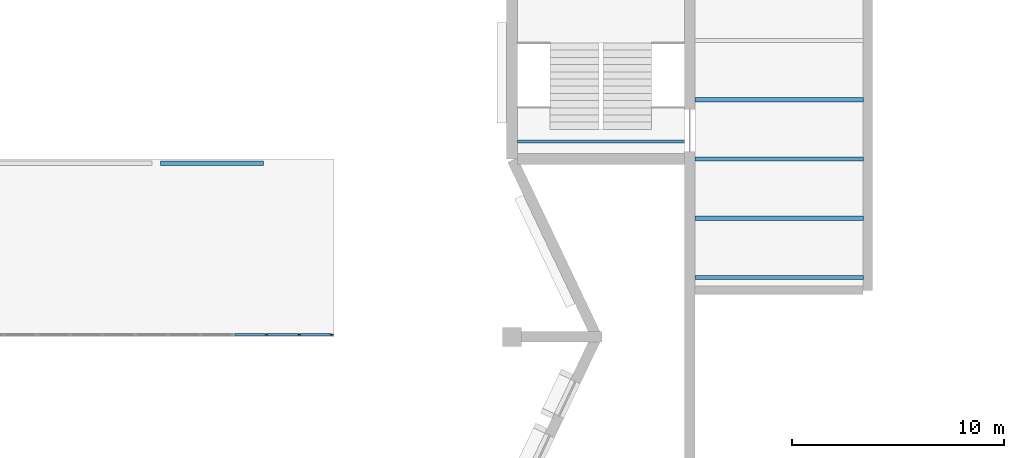
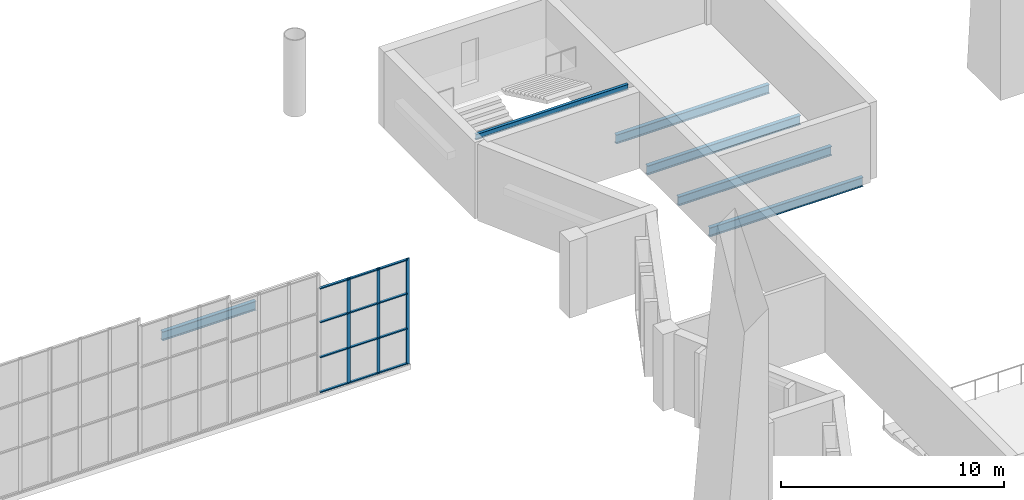
# One storey, part 37 of 100: 15 members, 6 beams, 1 element without a shape of its own.
"""IFC4 building model written with IfcOpenShell, lengths in metres."""

from ifc_helpers import new_model, si_unit, direction, frame, origin, origin_2d, place, context, subcontext, project, spatial, rectangle, i_section, extrude, material, material_profile, profile_set, type_object, element, aggregate, save


model = new_model("IFC4")

# Units and contexts
model_context = context("Model", 3, precision=1e-05, world=origin(), true_north=direction((0.0, 1.0)))
body_context = subcontext(model_context, "Body", "Model", "MODEL_VIEW")
ifc_project = project(units=[si_unit("LENGTHUNIT", "METRE"), si_unit("AREAUNIT", "SQUARE_METRE"), si_unit("VOLUMEUNIT", "CUBIC_METRE"), si_unit("PLANEANGLEUNIT", "RADIAN"), si_unit("MASSUNIT", "GRAM", prefix="KILO")], contexts=[model_context])

# Site, building, storey
site_placement = place(None, origin())
site = spatial("IfcSite", under=ifc_project, at=site_placement, CompositionType="ELEMENT")
building_placement = place(site_placement, origin())
building = spatial("IfcBuilding", under=site, at=building_placement, Name="Cresset Court Congress Hotel", CompositionType="ELEMENT")
storey_placement = place(building_placement, frame((0.0, 0.0, 10.199951171875)))
storey = spatial("IfcBuildingStorey", under=building, at=storey_placement, Name="L02", CompositionType="ELEMENT", Elevation=10.199951171875)

# Curtain wall, members
ifc_material_1 = material(Name="Aluminium frame with insulated glass", Category="aluminium")
curtain_wall_type = type_object("IfcCurtainWallType", Name="Curtain wall module 1500", PredefinedType="NOTDEFINED", material=ifc_material_1)
curtain_wall_placement = place(storey_placement, origin())
curtain_wall = element("IfcCurtainWall", 1, at=curtain_wall_placement, inside=storey, type_object=curtain_wall_type, Name="Curtain wall G9", PredefinedType="NOTDEFINED")
ifc_material_2 = material(Name="Aluminium", Category="aluminium")
ifc_material_profile_1 = material_profile(ifc_material_2, rectangle(XDim=0.1201171875, YDim=0.06005859375, at=origin_2d()), Name="AL 120x60")
ifc_profile_set_1 = profile_set([ifc_material_profile_1], Name="Aluminium")
member_type_1 = type_object("IfcMemberType", Name="CW transom RECT 120x60", PredefinedType="USERDEFINED", material=ifc_profile_set_1)
member_1_placement = place(storey_placement, frame((45.715576171875, 100.89990234375, 0.06005859375), z_axis=(1.0, 0.0, 0.0), x_axis=(0.0, 1.0, 0.0)))
member_1 = element("IfcMember", 2, at=member_1_placement, type_object=member_type_1, Name="D-X4 transom 1.1", ObjectType="TRANSOM", PredefinedType="USERDEFINED", context=body_context, shape_type="SweptSolid", body=[
    extrude(rectangle(XDim=0.1201171875, YDim=0.06005859375, at=origin_2d()), origin(), (0.0, 0.0, 1.0), 1.458251953125),
])
member_2_placement = place(storey_placement, frame((45.715576171875, 100.89990234375, 1.97216796875), z_axis=(1.0, 0.0, 0.0), x_axis=(0.0, 1.0, 0.0)))
member_2 = element("IfcMember", 3, at=member_2_placement, type_object=member_type_1, Name="D-X4 transom 1.2", ObjectType="TRANSOM", PredefinedType="USERDEFINED", context=body_context, shape_type="SweptSolid", body=[
    extrude(rectangle(XDim=0.1201171875, YDim=0.06005859375, at=origin_2d()), origin(), (0.0, 0.0, 1.0), 1.458251953125),
])
member_3_placement = place(storey_placement, frame((45.715576171875, 100.89990234375, 3.885986328125), z_axis=(1.0, 0.0, 0.0), x_axis=(0.0, 1.0, 0.0)))
member_3 = element("IfcMember", 4, at=member_3_placement, type_object=member_type_1, Name="D-X4 transom 1.3", ObjectType="TRANSOM", PredefinedType="USERDEFINED", context=body_context, shape_type="SweptSolid", body=[
    extrude(rectangle(XDim=0.1201171875, YDim=0.06005859375, at=origin_2d()), origin(), (0.0, 0.0, 1.0), 1.458251953125),
])
member_4_placement = place(storey_placement, frame((45.715576171875, 100.89990234375, 5.739990234375), z_axis=(1.0, 0.0, 0.0), x_axis=(0.0, 1.0, 0.0)))
member_4 = element("IfcMember", 5, at=member_4_placement, type_object=member_type_1, Name="D-X4 transom 1.4", ObjectType="TRANSOM", PredefinedType="USERDEFINED", context=body_context, shape_type="SweptSolid", body=[
    extrude(rectangle(XDim=0.1201171875, YDim=0.06005859375, at=origin_2d()), origin(), (0.0, 0.0, 1.0), 1.458251953125),
])
member_5_placement = place(storey_placement, frame((47.233642578125, 100.89990234375, 0.06005859375), z_axis=(1.0, 0.0, 0.0), x_axis=(0.0, 1.0, 0.0)))
member_5 = element("IfcMember", 6, at=member_5_placement, type_object=member_type_1, Name="D-X4 transom 2.1", ObjectType="TRANSOM", PredefinedType="USERDEFINED", context=body_context, shape_type="SweptSolid", body=[
    extrude(rectangle(XDim=0.1201171875, YDim=0.06005859375, at=origin_2d()), origin(), (0.0, 0.0, 1.0), 1.48828125),
])
member_6_placement = place(storey_placement, frame((47.233642578125, 100.89990234375, 1.97216796875), z_axis=(1.0, 0.0, 0.0), x_axis=(0.0, 1.0, 0.0)))
member_6 = element("IfcMember", 7, at=member_6_placement, type_object=member_type_1, Name="D-X4 transom 2.2", ObjectType="TRANSOM", PredefinedType="USERDEFINED", context=body_context, shape_type="SweptSolid", body=[
    extrude(rectangle(XDim=0.1201171875, YDim=0.06005859375, at=origin_2d()), origin(), (0.0, 0.0, 1.0), 1.48828125),
])
member_7_placement = place(storey_placement, frame((47.233642578125, 100.89990234375, 3.885986328125), z_axis=(1.0, 0.0, 0.0), x_axis=(0.0, 1.0, 0.0)))
member_7 = element("IfcMember", 8, at=member_7_placement, type_object=member_type_1, Name="D-X4 transom 2.3", ObjectType="TRANSOM", PredefinedType="USERDEFINED", context=body_context, shape_type="SweptSolid", body=[
    extrude(rectangle(XDim=0.1201171875, YDim=0.06005859375, at=origin_2d()), origin(), (0.0, 0.0, 1.0), 1.48828125),
])
member_8_placement = place(storey_placement, frame((47.233642578125, 100.89990234375, 5.739990234375), z_axis=(1.0, 0.0, 0.0), x_axis=(0.0, 1.0, 0.0)))
member_8 = element("IfcMember", 9, at=member_8_placement, type_object=member_type_1, Name="D-X4 transom 2.4", ObjectType="TRANSOM", PredefinedType="USERDEFINED", context=body_context, shape_type="SweptSolid", body=[
    extrude(rectangle(XDim=0.1201171875, YDim=0.06005859375, at=origin_2d()), origin(), (0.0, 0.0, 1.0), 1.48828125),
])
member_9_placement = place(storey_placement, frame((48.781982421875, 100.89990234375, 0.06005859375), z_axis=(1.0, 0.0, 0.0), x_axis=(0.0, 1.0, 0.0)))
member_9 = element("IfcMember", 10, at=member_9_placement, type_object=member_type_1, Name="D-X4 transom 3.1", ObjectType="TRANSOM", PredefinedType="USERDEFINED", context=body_context, shape_type="SweptSolid", body=[
    extrude(rectangle(XDim=0.1201171875, YDim=0.06005859375, at=origin_2d()), origin(), (0.0, 0.0, 1.0), 1.4580078125),
])
member_10_placement = place(storey_placement, frame((48.781982421875, 100.89990234375, 1.97216796875), z_axis=(1.0, 0.0, 0.0), x_axis=(0.0, 1.0, 0.0)))
member_10 = element("IfcMember", 11, at=member_10_placement, type_object=member_type_1, Name="D-X4 transom 3.2", ObjectType="TRANSOM", PredefinedType="USERDEFINED", context=body_context, shape_type="SweptSolid", body=[
    extrude(rectangle(XDim=0.1201171875, YDim=0.06005859375, at=origin_2d()), origin(), (0.0, 0.0, 1.0), 1.4580078125),
])
member_11_placement = place(storey_placement, frame((48.781982421875, 100.89990234375, 3.885986328125), z_axis=(1.0, 0.0, 0.0), x_axis=(0.0, 1.0, 0.0)))
member_11 = element("IfcMember", 12, at=member_11_placement, type_object=member_type_1, Name="D-X4 transom 3.3", ObjectType="TRANSOM", PredefinedType="USERDEFINED", context=body_context, shape_type="SweptSolid", body=[
    extrude(rectangle(XDim=0.1201171875, YDim=0.06005859375, at=origin_2d()), origin(), (0.0, 0.0, 1.0), 1.4580078125),
])
member_12_placement = place(storey_placement, frame((48.781982421875, 100.89990234375, 5.739990234375), z_axis=(1.0, 0.0, 0.0), x_axis=(0.0, 1.0, 0.0)))
member_12 = element("IfcMember", 13, at=member_12_placement, type_object=member_type_1, Name="D-X4 transom 3.4", ObjectType="TRANSOM", PredefinedType="USERDEFINED", context=body_context, shape_type="SweptSolid", body=[
    extrude(rectangle(XDim=0.1201171875, YDim=0.06005859375, at=origin_2d()), origin(), (0.0, 0.0, 1.0), 1.4580078125),
])
ifc_material_3 = material(Name="Anodised aluminium", Category="aluminium")
ifc_material_profile_2 = material_profile(ifc_material_3, rectangle(XDim=0.06005859375, YDim=0.159912109375, at=origin_2d()), Name="AL60x160")
ifc_profile_set_2 = profile_set([ifc_material_profile_2], Name="Anodised aluminium")
member_type_2 = type_object("IfcMemberType", Name="Curtain wall mullion 60x160", PredefinedType="MULLION", material=ifc_profile_set_2)
member_13_placement = place(storey_placement, frame((47.20361328125, 100.89990234375, 0.0), z_axis=(0.0, 0.0, 1.0), x_axis=(0.0, 1.0, 0.0)))
member_13 = element("IfcMember", 14, at=member_13_placement, type_object=member_type_2, Name="D-X4 mullion 2", PredefinedType="MULLION", context=body_context, shape_type="SweptSolid", body=[
    extrude(rectangle(XDim=0.06005859375, YDim=0.159912109375, at=origin_2d()), origin(), (0.0, 0.0, 1.0), 5.800048828125),
])
member_14_placement = place(storey_placement, frame((48.751953125, 100.89990234375, 0.0), z_axis=(0.0, 0.0, 1.0), x_axis=(0.0, 1.0, 0.0)))
member_14 = element("IfcMember", 15, at=member_14_placement, type_object=member_type_2, Name="D-X4 mullion 3", PredefinedType="MULLION", context=body_context, shape_type="SweptSolid", body=[
    extrude(rectangle(XDim=0.06005859375, YDim=0.159912109375, at=origin_2d()), origin(), (0.0, 0.0, 1.0), 5.800048828125),
])
member_15_placement = place(storey_placement, frame((50.27001953125, 100.89990234375, 0.0), z_axis=(0.0, 0.0, 1.0), x_axis=(0.0, 1.0, 0.0)))
member_15 = element("IfcMember", 16, at=member_15_placement, type_object=member_type_2, Name="D-X4 mullion 4", PredefinedType="MULLION", context=body_context, shape_type="SweptSolid", body=[
    extrude(rectangle(XDim=0.06005859375, YDim=0.159912109375, at=origin_2d()), origin(), (0.0, 0.0, 1.0), 5.800048828125),
])
aggregate(curtain_wall, [member_13, member_14, member_15, member_1, member_2, member_3, member_4, member_5, member_6, member_7, member_8, member_9, member_10, member_11, member_12])

# Beams
ifc_material_4 = material(Name="Structural steel Q355B", Category="steel")
ifc_material_profile_3 = material_profile(ifc_material_4, i_section(OverallWidth=0.14990234375, OverallDepth=0.300048828125, WebThickness=0.006591796875, FlangeThickness=0.009033203125, FilletRadius=0.012939453125, at=origin_2d()), Name="HN300x150x6.5x9")
ifc_profile_set_3 = profile_set([ifc_material_profile_3], Name="Structural steel Q355B")
beam_type_1 = type_object("IfcBeamType", Name="Steel HN300x150x6.5x9 strip beam", PredefinedType="BEAM", material=ifc_profile_set_3)
beam_1_placement = place(storey_placement, frame((59.050048828125, 110.02490234375, 3.85009765625), z_axis=(1.0, 0.0, 0.0), x_axis=(0.0, 1.0, 0.0)))
element("IfcBeam", 17, at=beam_1_placement, inside=storey, type_object=beam_type_1, Name="Beam CC-C3L03", PredefinedType="BEAM", context=body_context, shape_type="SweptSolid", body=[
    extrude(i_section(OverallWidth=0.14990234375, OverallDepth=0.300048828125, WebThickness=0.006591796875, FlangeThickness=0.009033203125, FilletRadius=0.012939453125, at=origin_2d()), origin(), (0.0, 0.0, 1.0), 7.89990234375),
])
ifc_material_5 = material(Name="Structural steel Q355B", Category="steel")
ifc_material_profile_4 = material_profile(ifc_material_5, i_section(OverallWidth=0.199951171875, OverallDepth=0.5, WebThickness=0.010009765625, FlangeThickness=0.01611328125, FilletRadius=0.012939453125, at=origin_2d()), Name="HN500x200x10x16")
ifc_profile_set_4 = profile_set([ifc_material_profile_4], Name="Structural steel Q355B")
beam_type_2 = type_object("IfcBeamType", Name="Steel HN500x200x10x16 beam", PredefinedType="BEAM", material=ifc_profile_set_4)
for number, where, z_axis, x_axis, name in (
    (18, (67.449951171875, 103.60009765625, -0.39990234375), (1.0, 0.0, 0.0), (0.0, 1.0, 0.0), "Beam CB-W1021"),
    (19, (67.449951171875, 106.39990234375, -0.39990234375), (1.0, 0.0, 0.0), (0.0, 1.0, 0.0), "Beam CB-W1022"),
    (20, (67.449951171875, 109.199951171875, -0.39990234375), (1.0, 0.0, 0.0), (0.0, 1.0, 0.0), "Beam CB-W1023"),
    (21, (67.449951171875, 112.0, -0.39990234375), (1.0, 0.0, 0.0), (0.0, 1.0, 0.0), "Beam CB-W1024"),
):
    element("IfcBeam", number, at=place(storey_placement, frame(where, z_axis=z_axis, x_axis=x_axis)), inside=storey, type_object=beam_type_2, Name=name, PredefinedType="BEAM", context=body_context, shape_type="SweptSolid", body=[
        extrude(i_section(OverallWidth=0.199951171875, OverallDepth=0.5, WebThickness=0.010009765625, FlangeThickness=0.01611328125, FilletRadius=0.012939453125, at=origin_2d()), origin(), (0.0, 0.0, 1.0), 7.949951171875),
    ])
ifc_material_6 = material(Name="Structural steel Q355B", Category="steel")
ifc_material_profile_5 = material_profile(ifc_material_6, i_section(OverallWidth=0.199951171875, OverallDepth=0.5, WebThickness=0.010009765625, FlangeThickness=0.01611328125, FilletRadius=0.012939453125, at=origin_2d()), Name="HN500x200x10x16")
ifc_profile_set_5 = profile_set([ifc_material_profile_5], Name="Structural steel Q355B")
beam_type_3 = type_object("IfcBeamType", Name="Steel edge beam HN500x200x10x16 external", PredefinedType="BEAM", material=ifc_profile_set_5)
beam_2_placement = place(storey_placement, frame((42.199951171875, 109.0, -0.530029296875), z_axis=(1.0, 0.0, 0.0), x_axis=(0.0, 1.0, 0.0)))
element("IfcBeam", 22, at=beam_2_placement, inside=storey, type_object=beam_type_3, Name="North edge beam L01 5", PredefinedType="BEAM", context=body_context, shape_type="SweptSolid", body=[
    extrude(i_section(OverallWidth=0.199951171875, OverallDepth=0.5, WebThickness=0.010009765625, FlangeThickness=0.01611328125, FilletRadius=0.012939453125, at=origin_2d()), origin(), (0.0, 0.0, 1.0), 4.85009765625),
])

save(model, "model.ifc")
